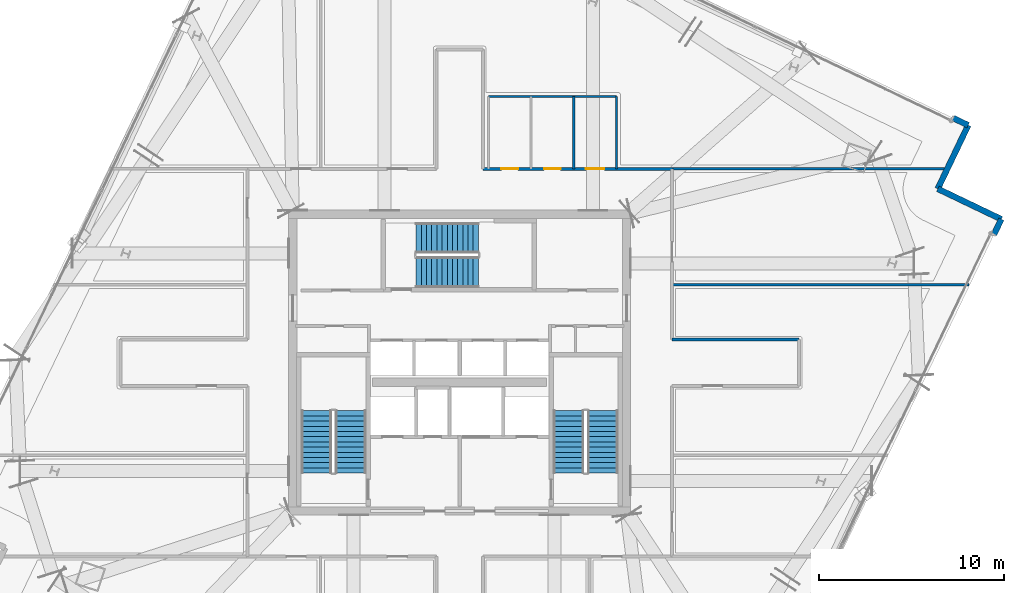
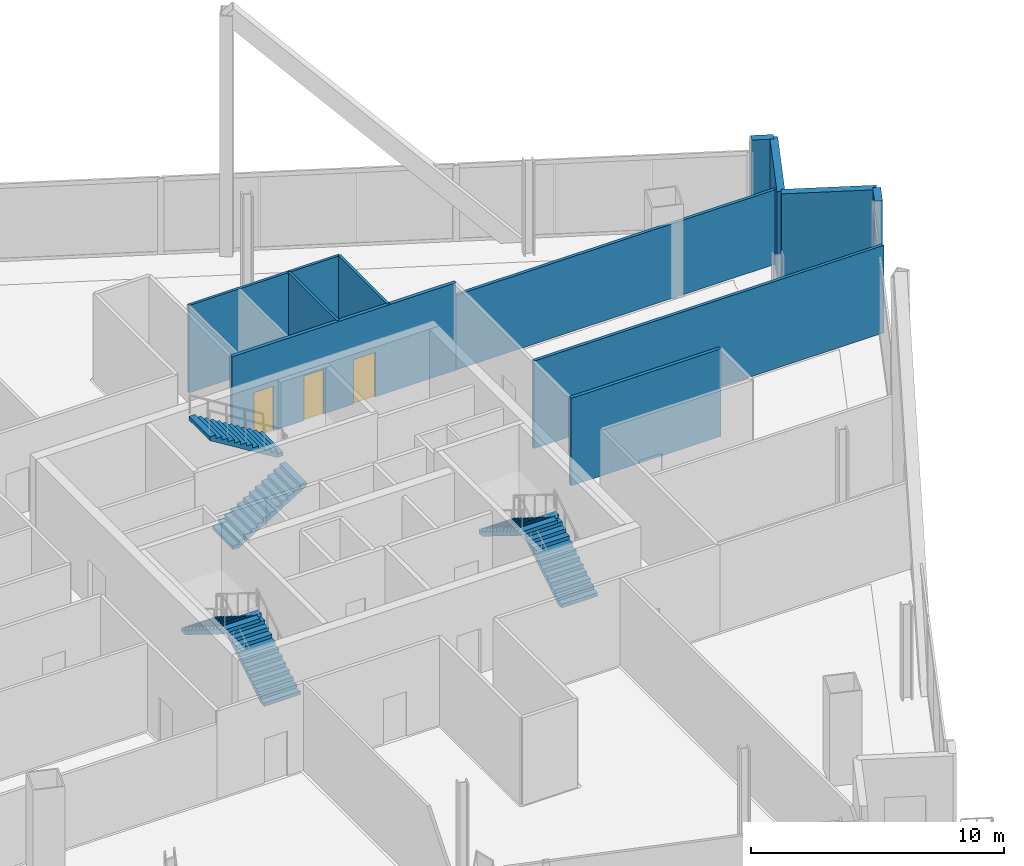
# One storey, part 19 of 24: 11 walls, 6 stair flights, 3 doors, 3 openings, 3 elements without a shape of their own.
"""IFC4 building model written with IfcOpenShell, lengths in metres."""

from ifc_helpers import new_model, si_unit, direction, frame, frame_2d, origin, place, context, subcontext, project, spatial, polyline, rectangle, outline, extrude, material, layer, layer_set, type_object, element, fill, aggregate, save


model = new_model("IFC4")

# Units and contexts
model_context = context("Model", 3, precision=1e-05, world=origin(), true_north=direction((0.0, 1.0)))
body_context = subcontext(model_context, "Body", "Model", "MODEL_VIEW")
ifc_project = project(units=[si_unit("LENGTHUNIT", "METRE"), si_unit("AREAUNIT", "SQUARE_METRE"), si_unit("VOLUMEUNIT", "CUBIC_METRE"), si_unit("PLANEANGLEUNIT", "RADIAN"), si_unit("MASSUNIT", "GRAM", prefix="KILO")], contexts=[model_context])

# Site, building, storey
site_placement = place(None, origin())
site = spatial("IfcSite", under=ifc_project, at=site_placement, CompositionType="ELEMENT")
building_placement = place(site_placement, origin())
building = spatial("IfcBuilding", under=site, at=building_placement, Name="Haldenkirk Collegiate Tower", CompositionType="ELEMENT")
storey_placement = place(building_placement, frame((0.0, 0.0, 244.199951171875)))
storey = spatial("IfcBuildingStorey", under=building, at=storey_placement, Name="L61", CompositionType="ELEMENT", Elevation=244.199951171875)

# Walls
ifc_material_1 = material(Name="Precast concrete f'c 40 MPa", Category="concrete")
ifc_layer_1 = layer(ifc_material_1, 0.320068359375)
ifc_layer_set_1 = layer_set([ifc_layer_1], Name="Precast concrete f'c 40 MPa")
wall_type_1 = type_object("IfcWallType", Name="WL-EXT-TWR-320", PredefinedType="STANDARD", material=ifc_layer_set_1)
wall_1_placement = place(storey_placement, frame((65.2109375, 33.73779296875, 0.0), z_axis=(0.0, 0.0, 1.0), x_axis=(-0.432175339096, -0.901789596457, 0.0)))
element("IfcWall", 1, at=wall_1_placement, inside=storey, type_object=wall_type_1, Name="L61 precast corner pier SL", PredefinedType="STANDARD", context=body_context, shape_type="SweptSolid", body=[
    extrude(rectangle(XDim=0.89990234375, YDim=0.320068359375, at=frame_2d((0.449951171875, 0.0))), origin(), (0.0, 0.0, 1.0), 4.22998046875),
])
wall_2_placement = place(storey_placement, frame((61.7841796875, 35.3798828125, 0.0), z_axis=(0.0, 0.0, 1.0), x_axis=(0.901805596144, -0.432141952099, 0.0)))
element("IfcWall", 2, at=wall_2_placement, inside=storey, type_object=wall_type_1, Name="L61 bronze precast notch wall 02", PredefinedType="STANDARD", context=body_context, shape_type="SweptSolid", body=[
    extrude(rectangle(XDim=3.7998046875, YDim=0.320068359375, at=frame_2d((1.89990234375, 0.0))), origin(), (0.0, 0.0, 1.0), 4.22998046875),
])
wall_3_placement = place(storey_placement, frame((63.426025390625, 38.806884765625, 0.0), z_axis=(0.0, 0.0, 1.0), x_axis=(-0.432064663211, -0.901842628624, 0.0)))
element("IfcWall", 3, at=wall_3_placement, inside=storey, type_object=wall_type_1, Name="L61 bronze precast notch wall 03", PredefinedType="STANDARD", context=body_context, shape_type="SweptSolid", body=[
    extrude(rectangle(XDim=3.800048828125, YDim=0.320068359375, at=frame_2d((1.89990234375, 0.0))), origin(), (0.0, 0.0, 1.0), 4.22998046875),
])
wall_4_placement = place(storey_placement, frame((62.614501953125, 39.19580078125, 0.0), z_axis=(0.0, 0.0, 1.0), x_axis=(0.901789596457, -0.432175339096, 0.0)))
element("IfcWall", 4, at=wall_4_placement, inside=storey, type_object=wall_type_1, Name="L61 precast corner pier ER", PredefinedType="STANDARD", context=body_context, shape_type="SweptSolid", body=[
    extrude(rectangle(XDim=0.89990234375, YDim=0.320068359375, at=frame_2d((0.449951171875, 0.0))), origin(), (0.0, 0.0, 1.0), 4.22998046875),
])

# Wall, openings, doors
ifc_material_2 = material(Name="Acoustic fire-rated gypsum partition", Category="concrete")
ifc_layer_2 = layer(ifc_material_2, 0.159912109375)
ifc_layer_set_2 = layer_set([ifc_layer_2], Name="Acoustic fire-rated gypsum partition")
wall_type_2 = type_object("IfcWallType", Name="WL-INT-CORR-160", PredefinedType="PARTITIONING", material=ifc_layer_set_2)
wall_5_placement = place(storey_placement, frame((37.25, 36.449951171875, 0.0), z_axis=(0.0, 0.0, 1.0), x_axis=(1.0, 0.0, 0.0)))
wall_5 = element("IfcWall", 5, at=wall_5_placement, inside=storey, type_object=wall_type_2, Name="L61 interior partition IW-L61-CN2", PredefinedType="PARTITIONING", context=body_context, shape_type="SweptSolid", body=[
    extrude(rectangle(XDim=10.25, YDim=0.159912109375, at=frame_2d((5.125, 0.0))), origin(), (0.0, 0.0, 1.0), 4.22998046875),
])
opening_1_placement = place(wall_5_placement, frame((1.0, 0.0, 0.0)))
opening_1 = element("IfcOpeningElement", 6, at=opening_1_placement, cuts=wall_5, Name="Opening D-13", PredefinedType="OPENING", context=body_context, shape_type="SweptSolid", body=[
    extrude(rectangle(XDim=0.89990234375, YDim=2.14990234375, at=frame_2d((0.449951171875, 1.074951171875))), frame((0.0, 0.08984375, 0.0), z_axis=(0.0, -1.0, 0.0), x_axis=(1.0, 0.0, 0.0)), (0.0, 0.0, 1.0), 0.179931640625),
])
opening_2_placement = place(wall_5_placement, frame((3.300048828125, 0.0, 0.0)))
opening_2 = element("IfcOpeningElement", 7, at=opening_2_placement, cuts=wall_5, Name="Opening D-13", PredefinedType="OPENING", context=body_context, shape_type="SweptSolid", body=[
    extrude(rectangle(XDim=0.89990234375, YDim=2.14990234375, at=frame_2d((0.449951171875, 1.074951171875))), frame((0.0, 0.08984375, 0.0), z_axis=(0.0, -1.0, 0.0), x_axis=(1.0, 0.0, 0.0)), (0.0, 0.0, 1.0), 0.179931640625),
])
opening_3_placement = place(wall_5_placement, frame((5.550048828125, 0.0, 0.0)))
opening_3 = element("IfcOpeningElement", 8, at=opening_3_placement, cuts=wall_5, Name="Opening D-14", PredefinedType="OPENING", context=body_context, shape_type="SweptSolid", body=[
    extrude(rectangle(XDim=1.0, YDim=2.14990234375, at=frame_2d((0.5, 1.074951171875))), frame((0.0, 0.08984375, 0.0), z_axis=(0.0, -1.0, 0.0), x_axis=(1.0, 0.0, 0.0)), (0.0, 0.0, 1.0), 0.179931640625),
])
ifc_material_3 = material(Name="Solid-core architectural oak fire door", Category="wood")
ifc_layer_3 = layer(ifc_material_3, 0.06005859375)
ifc_layer_set_3 = layer_set([ifc_layer_3], Name="Solid-core architectural oak fire door")
door_type_1 = type_object("IfcDoorType", Name="DR-INT-ACC-1000", OperationType="NOTDEFINED", PredefinedType="DOOR", material=ifc_layer_set_3)
door_1_placement = place(opening_3_placement, origin())
door_1 = element("IfcDoor", 9, at=door_1_placement, inside=storey, type_object=door_type_1, Name="L61 Accessible WC door", OperationType="SINGLE_SWING_RIGHT", OverallHeight=2.14990234375, OverallWidth=1.0, PredefinedType="DOOR", context=body_context, shape_type="SweptSolid", body=[
    extrude(rectangle(XDim=1.0, YDim=2.14990234375, at=frame_2d((0.5, 1.074951171875))), frame((0.0, 0.02490234375, 0.0), z_axis=(0.0, -1.0, 0.0), x_axis=(1.0, 0.0, 0.0)), (0.0, 0.0, 1.0), 0.050048828125),
])
fill(opening_3, door_1)
ifc_layer_4 = layer(ifc_material_3, 0.06005859375)
ifc_layer_set_4 = layer_set([ifc_layer_4], Name="Solid-core architectural oak fire door")
door_type_2 = type_object("IfcDoorType", Name="DR-INT-STD-900", OperationType="NOTDEFINED", PredefinedType="DOOR", material=ifc_layer_set_4)
door_2_placement = place(opening_1_placement, origin())
door_2 = element("IfcDoor", 10, at=door_2_placement, inside=storey, type_object=door_type_2, Name="L61 Male WC door", OperationType="SINGLE_SWING_RIGHT", OverallHeight=2.14990234375, OverallWidth=0.89990234375, PredefinedType="DOOR", context=body_context, shape_type="SweptSolid", body=[
    extrude(rectangle(XDim=0.89990234375, YDim=2.14990234375, at=frame_2d((0.449951171875, 1.074951171875))), frame((0.0, 0.02490234375, 0.0), z_axis=(0.0, -1.0, 0.0), x_axis=(1.0, 0.0, 0.0)), (0.0, 0.0, 1.0), 0.050048828125),
])
fill(opening_1, door_2)
door_3_placement = place(opening_2_placement, origin())
door_3 = element("IfcDoor", 11, at=door_3_placement, inside=storey, type_object=door_type_2, Name="L61 Female WC door", OperationType="SINGLE_SWING_LEFT", OverallHeight=2.14990234375, OverallWidth=0.89990234375, PredefinedType="DOOR", context=body_context, shape_type="SweptSolid", body=[
    extrude(rectangle(XDim=0.89990234375, YDim=2.14990234375, at=frame_2d((0.449951171875, 1.074951171875))), frame((0.0, 0.02490234375, 0.0), z_axis=(0.0, -1.0, 0.0), x_axis=(1.0, 0.0, 0.0)), (0.0, 0.0, 1.0), 0.050048828125),
])
fill(opening_2, door_3)

# Walls
wall_6_placement = place(storey_placement, frame((47.449951171875, 27.25, 0.0), z_axis=(0.0, 0.0, 1.0), x_axis=(1.0, 0.0, 0.0)))
element("IfcWall", 12, at=wall_6_placement, inside=storey, type_object=wall_type_2, Name="L61 interior partition IW-L61-EPN", PredefinedType="PARTITIONING", context=body_context, shape_type="SweptSolid", body=[
    extrude(rectangle(XDim=6.85009765625, YDim=0.159912109375, at=frame_2d((3.425048828125, 0.0))), origin(), (0.0, 0.0, 1.0), 4.22998046875),
])
ifc_layer_5 = layer(ifc_material_2, 0.139892578125)
ifc_layer_set_5 = layer_set([ifc_layer_5], Name="Acoustic fire-rated gypsum partition")
wall_type_3 = type_object("IfcWallType", Name="WL-INT-DIV-140", PredefinedType="PARTITIONING", material=ifc_layer_set_5)
wall_7_placement = place(storey_placement, frame((47.449951171875, 36.449951171875, 0.0), z_axis=(0.0, 0.0, 1.0), x_axis=(1.0, 0.0, 0.0)))
element("IfcWall", 13, at=wall_7_placement, inside=storey, type_object=wall_type_3, Name="L61 interior partition IW-L61-BEN", PredefinedType="PARTITIONING", context=body_context, shape_type="SweptSolid", body=[
    extrude(rectangle(XDim=14.802490234375, YDim=0.139892578125, at=frame_2d((7.4013671875, 0.0))), origin(), (0.0, 0.0, 1.0), 3.608154296875),
])
wall_8_placement = place(storey_placement, frame((47.449951171875, 30.199951171875, 0.0), z_axis=(0.0, 0.0, 1.0), x_axis=(1.0, 0.0, 0.0)))
element("IfcWall", 14, at=wall_8_placement, inside=storey, type_object=wall_type_3, Name="L61 interior partition IW-L61-RE2", PredefinedType="PARTITIONING", context=body_context, shape_type="SweptSolid", body=[
    extrude(rectangle(XDim=16.021728515625, YDim=0.139892578125, at=frame_2d((8.0107421875, 0.0))), origin(), (0.0, 0.0, 1.0), 4.22998046875),
])
ifc_layer_6 = layer(ifc_material_2, 0.1201171875)
ifc_layer_set_6 = layer_set([ifc_layer_6], Name="Acoustic fire-rated gypsum partition")
wall_type_4 = type_object("IfcWallType", Name="WL-INT-WET-120", PredefinedType="PARTITIONING", material=ifc_layer_set_6)
for number, where, z_axis, x_axis, name in (
    (15, (42.14990234375, 36.449951171875, 0.0), (0.0, 0.0, 1.0), (0.0, 1.0, 0.0), "L61 interior partition IW-L61-WC2"),
    (16, (44.449951171875, 36.449951171875, 0.0), (0.0, 0.0, 1.0), (0.0, 1.0, 0.0), "L61 interior partition IW-L61-WCE"),
):
    element("IfcWall", number, at=place(storey_placement, frame(where, z_axis=z_axis, x_axis=x_axis)), inside=storey, type_object=wall_type_4, Name=name, PredefinedType="PARTITIONING", context=body_context, shape_type="SweptSolid", body=[
        extrude(rectangle(XDim=3.900146484375, YDim=0.1201171875, at=frame_2d((1.9501953125, 0.0))), origin(), (0.0, 0.0, 1.0), 4.22998046875),
    ])
wall_9_placement = place(storey_placement, frame((37.550048828125, 40.35009765625, 0.0), z_axis=(0.0, 0.0, 1.0), x_axis=(1.0, 0.0, 0.0)))
element("IfcWall", 17, at=wall_9_placement, inside=storey, type_object=wall_type_4, Name="L61 interior partition IW-L61-WCB", PredefinedType="PARTITIONING", context=body_context, shape_type="SweptSolid", body=[
    extrude(rectangle(XDim=6.89990234375, YDim=0.1201171875, at=frame_2d((3.449951171875, 0.0))), origin(), (0.0, 0.0, 1.0), 4.22998046875),
])

# Stair, stair flights
ifc_material_4 = material(Name="Concrete f'c 40 MPa", Category="concrete")
stair_type = type_object("IfcStairType", Name="STR-DOGLEG-1650", PredefinedType="HALF_TURN_STAIR", material=ifc_material_4)
stair_1_placement = place(storey_placement, origin())
stair_1 = element("IfcStair", 18, at=stair_1_placement, inside=storey, type_object=stair_type, Name="L61 Core Exit Stair ST-1", PredefinedType="HALF_TURN_STAIR")
stair_flight_type = type_object("IfcStairFlightType", Name="STF-FLIGHT-1650", PredefinedType="STRAIGHT", material=ifc_material_4)
stair_flight_1_placement = place(storey_placement, frame((30.125, 20.050048828125, 0.0), z_axis=(0.0, 0.0, 1.0), x_axis=(0.0, 1.0, 0.0)))
stair_flight_1 = element("IfcStairFlight", 19, at=stair_flight_1_placement, type_object=stair_flight_type, Name="ST-1 flight 1", NumberOfRisers=13, NumberOfTreads=12, PredefinedType="STRAIGHT", RiserHeight=0.173076923, TreadLength=0.28, context=body_context, shape_type="SweptSolid", body=[
    extrude(outline(polyline([(0.0, 0.0), (0.0, 0.173095703125), (0.280029296875, 0.173095703125), (0.280029296875, 0.34619140625), (0.56005859375, 0.34619140625), (0.56005859375, 0.519287109375), (0.840087890625, 0.519287109375), (0.840087890625, 0.6923828125), (1.1201171875, 0.6923828125), (1.1201171875, 0.865478515625), (1.39990234375, 0.865478515625), (1.39990234375, 1.03857421875), (1.679931640625, 1.03857421875), (1.679931640625, 1.21142578125), (1.9599609375, 1.21142578125), (1.9599609375, 1.384521484375), (2.239990234375, 1.384521484375), (2.239990234375, 1.5576171875), (2.52001953125, 1.5576171875), (2.52001953125, 1.730712890625), (2.800048828125, 1.730712890625), (2.800048828125, 1.90380859375), (3.080078125, 1.90380859375), (3.080078125, 2.076904296875), (3.360107421875, 2.076904296875), (3.360107421875, 2.25), (3.360107421875, 1.900634765625), (0.28515625, 0.0), (0.0, 0.0)])), frame((0.0, 0.824951171875, 0.0), z_axis=(0.0, -1.0, 0.0), x_axis=(1.0, 0.0, 0.0)), (0.0, 0.0, 1.0), 1.64990234375),
])
stair_flight_2_placement = place(storey_placement, frame((28.27490234375, 23.409912109375, 2.25), z_axis=(0.0, 0.0, 1.0), x_axis=(0.0, -1.0, 0.0)))
stair_flight_2 = element("IfcStairFlight", 20, at=stair_flight_2_placement, type_object=stair_flight_type, Name="ST-1 flight 2", NumberOfRisers=13, NumberOfTreads=12, PredefinedType="STRAIGHT", RiserHeight=0.173076923, TreadLength=0.28, context=body_context, shape_type="SweptSolid", body=[
    extrude(outline(polyline([(0.0, 0.0), (0.0, 0.173095703125), (0.280029296875, 0.173095703125), (0.280029296875, 0.34619140625), (0.56005859375, 0.34619140625), (0.56005859375, 0.519287109375), (0.840087890625, 0.519287109375), (0.840087890625, 0.6923828125), (1.1201171875, 0.6923828125), (1.1201171875, 0.865478515625), (1.39990234375, 0.865478515625), (1.39990234375, 1.03857421875), (1.679931640625, 1.03857421875), (1.679931640625, 1.21142578125), (1.9599609375, 1.21142578125), (1.9599609375, 1.384521484375), (2.239990234375, 1.384521484375), (2.239990234375, 1.5576171875), (2.52001953125, 1.5576171875), (2.52001953125, 1.730712890625), (2.800048828125, 1.730712890625), (2.800048828125, 1.90380859375), (3.080078125, 1.90380859375), (3.080078125, 2.076904296875), (3.360107421875, 2.076904296875), (3.360107421875, 2.25), (3.360107421875, 1.900634765625), (0.28515625, 0.0), (0.0, 0.0)])), frame((0.0, 0.824951171875, 0.0), z_axis=(0.0, -1.0, 0.0), x_axis=(1.0, 0.0, 0.0)), (0.0, 0.0, 1.0), 1.64990234375),
])
aggregate(stair_1, [stair_flight_1, stair_flight_2])

stair_2_placement = place(storey_placement, origin())
stair_2 = element("IfcStair", 21, at=stair_2_placement, inside=storey, type_object=stair_type, Name="L61 Core Exit Stair ST-2", PredefinedType="HALF_TURN_STAIR")
stair_flight_3_placement = place(storey_placement, frame((43.72509765625, 20.050048828125, 0.0), z_axis=(0.0, 0.0, 1.0), x_axis=(0.0, 1.0, 0.0)))
stair_flight_3 = element("IfcStairFlight", 22, at=stair_flight_3_placement, type_object=stair_flight_type, Name="ST-2 flight 1", NumberOfRisers=13, NumberOfTreads=12, PredefinedType="STRAIGHT", RiserHeight=0.173076923, TreadLength=0.28, context=body_context, shape_type="SweptSolid", body=[
    extrude(outline(polyline([(0.0, 0.0), (0.0, 0.173095703125), (0.280029296875, 0.173095703125), (0.280029296875, 0.34619140625), (0.56005859375, 0.34619140625), (0.56005859375, 0.519287109375), (0.840087890625, 0.519287109375), (0.840087890625, 0.6923828125), (1.1201171875, 0.6923828125), (1.1201171875, 0.865478515625), (1.39990234375, 0.865478515625), (1.39990234375, 1.03857421875), (1.679931640625, 1.03857421875), (1.679931640625, 1.21142578125), (1.9599609375, 1.21142578125), (1.9599609375, 1.384521484375), (2.239990234375, 1.384521484375), (2.239990234375, 1.5576171875), (2.52001953125, 1.5576171875), (2.52001953125, 1.730712890625), (2.800048828125, 1.730712890625), (2.800048828125, 1.90380859375), (3.080078125, 1.90380859375), (3.080078125, 2.076904296875), (3.360107421875, 2.076904296875), (3.360107421875, 2.25), (3.360107421875, 1.900634765625), (0.28515625, 0.0), (0.0, 0.0)])), frame((0.0, 0.824951171875, 0.0), z_axis=(0.0, -1.0, 0.0), x_axis=(1.0, 0.0, 0.0)), (0.0, 0.0, 1.0), 1.64990234375),
])
stair_flight_4_placement = place(storey_placement, frame((41.875, 23.409912109375, 2.25), z_axis=(0.0, 0.0, 1.0), x_axis=(0.0, -1.0, 0.0)))
stair_flight_4 = element("IfcStairFlight", 23, at=stair_flight_4_placement, type_object=stair_flight_type, Name="ST-2 flight 2", NumberOfRisers=13, NumberOfTreads=12, PredefinedType="STRAIGHT", RiserHeight=0.173076923, TreadLength=0.28, context=body_context, shape_type="SweptSolid", body=[
    extrude(outline(polyline([(0.0, 0.0), (0.0, 0.173095703125), (0.280029296875, 0.173095703125), (0.280029296875, 0.34619140625), (0.56005859375, 0.34619140625), (0.56005859375, 0.519287109375), (0.840087890625, 0.519287109375), (0.840087890625, 0.6923828125), (1.1201171875, 0.6923828125), (1.1201171875, 0.865478515625), (1.39990234375, 0.865478515625), (1.39990234375, 1.03857421875), (1.679931640625, 1.03857421875), (1.679931640625, 1.21142578125), (1.9599609375, 1.21142578125), (1.9599609375, 1.384521484375), (2.239990234375, 1.384521484375), (2.239990234375, 1.5576171875), (2.52001953125, 1.5576171875), (2.52001953125, 1.730712890625), (2.800048828125, 1.730712890625), (2.800048828125, 1.90380859375), (3.080078125, 1.90380859375), (3.080078125, 2.076904296875), (3.360107421875, 2.076904296875), (3.360107421875, 2.25), (3.360107421875, 1.900634765625), (0.28515625, 0.0), (0.0, 0.0)])), frame((0.0, 0.824951171875, 0.0), z_axis=(0.0, -1.0, 0.0), x_axis=(1.0, 0.0, 0.0)), (0.0, 0.0, 1.0), 1.64990234375),
])
aggregate(stair_2, [stair_flight_3, stair_flight_4])

stair_3_placement = place(storey_placement, origin())
stair_3 = element("IfcStair", 24, at=stair_3_placement, inside=storey, type_object=stair_type, Name="L61 Core Exit Stair ST-3", PredefinedType="HALF_TURN_STAIR")
stair_flight_5_placement = place(storey_placement, frame((33.64990234375, 30.875, 0.0), z_axis=(0.0, 0.0, 1.0), x_axis=(1.0, 0.0, 0.0)))
stair_flight_5 = element("IfcStairFlight", 25, at=stair_flight_5_placement, type_object=stair_flight_type, Name="ST-3 flight 1", NumberOfRisers=13, NumberOfTreads=12, PredefinedType="STRAIGHT", RiserHeight=0.173076923, TreadLength=0.28, context=body_context, shape_type="SweptSolid", body=[
    extrude(outline(polyline([(0.0, 0.0), (0.0, 0.173095703125), (0.280029296875, 0.173095703125), (0.280029296875, 0.34619140625), (0.56005859375, 0.34619140625), (0.56005859375, 0.519287109375), (0.840087890625, 0.519287109375), (0.840087890625, 0.6923828125), (1.1201171875, 0.6923828125), (1.1201171875, 0.865478515625), (1.39990234375, 0.865478515625), (1.39990234375, 1.03857421875), (1.679931640625, 1.03857421875), (1.679931640625, 1.21142578125), (1.9599609375, 1.21142578125), (1.9599609375, 1.384521484375), (2.239990234375, 1.384521484375), (2.239990234375, 1.5576171875), (2.52001953125, 1.5576171875), (2.52001953125, 1.730712890625), (2.800048828125, 1.730712890625), (2.800048828125, 1.90380859375), (3.080078125, 1.90380859375), (3.080078125, 2.076904296875), (3.360107421875, 2.076904296875), (3.360107421875, 2.25), (3.360107421875, 1.900634765625), (0.28515625, 0.0), (0.0, 0.0)])), frame((0.0, 0.824951171875, 0.0), z_axis=(0.0, -1.0, 0.0), x_axis=(1.0, 0.0, 0.0)), (0.0, 0.0, 1.0), 1.64990234375),
])
stair_flight_6_placement = place(storey_placement, frame((37.010009765625, 32.72509765625, 2.25), z_axis=(0.0, 0.0, 1.0), x_axis=(-1.0, 0.0, 0.0)))
stair_flight_6 = element("IfcStairFlight", 26, at=stair_flight_6_placement, type_object=stair_flight_type, Name="ST-3 flight 2", NumberOfRisers=13, NumberOfTreads=12, PredefinedType="STRAIGHT", RiserHeight=0.173076923, TreadLength=0.28, context=body_context, shape_type="SweptSolid", body=[
    extrude(outline(polyline([(0.0, 0.0), (0.0, 0.173095703125), (0.280029296875, 0.173095703125), (0.280029296875, 0.34619140625), (0.56005859375, 0.34619140625), (0.56005859375, 0.519287109375), (0.840087890625, 0.519287109375), (0.840087890625, 0.6923828125), (1.1201171875, 0.6923828125), (1.1201171875, 0.865478515625), (1.39990234375, 0.865478515625), (1.39990234375, 1.03857421875), (1.679931640625, 1.03857421875), (1.679931640625, 1.21142578125), (1.9599609375, 1.21142578125), (1.9599609375, 1.384521484375), (2.239990234375, 1.384521484375), (2.239990234375, 1.5576171875), (2.52001953125, 1.5576171875), (2.52001953125, 1.730712890625), (2.800048828125, 1.730712890625), (2.800048828125, 1.90380859375), (3.080078125, 1.90380859375), (3.080078125, 2.076904296875), (3.360107421875, 2.076904296875), (3.360107421875, 2.25), (3.360107421875, 1.900634765625), (0.28515625, 0.0), (0.0, 0.0)])), frame((0.0, 0.824951171875, 0.0), z_axis=(0.0, -1.0, 0.0), x_axis=(1.0, 0.0, 0.0)), (0.0, 0.0, 1.0), 1.64990234375),
])
aggregate(stair_3, [stair_flight_5, stair_flight_6])

save(model, "model.ifc")
